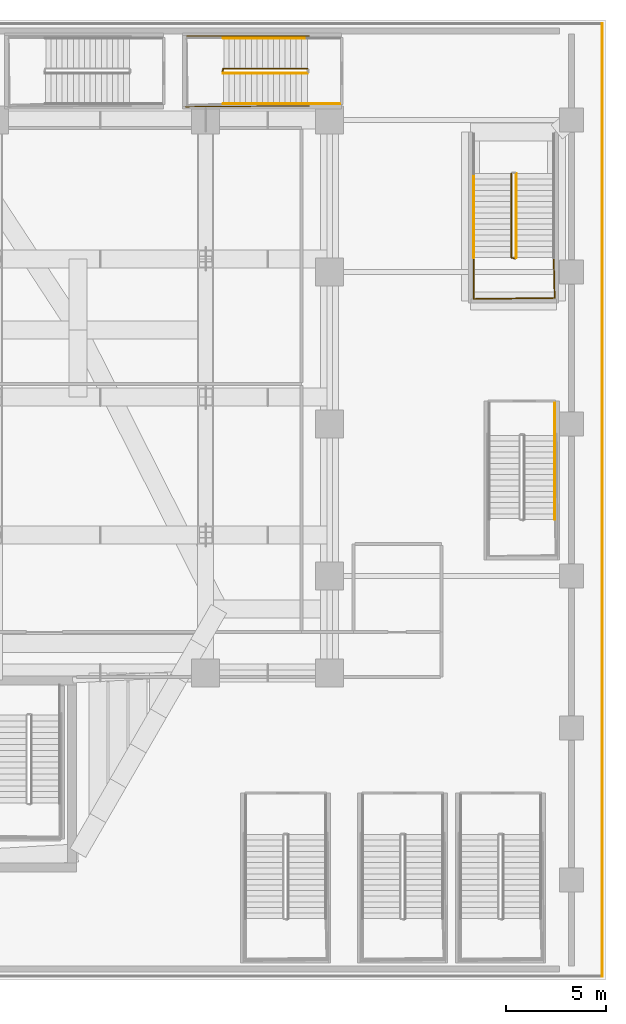
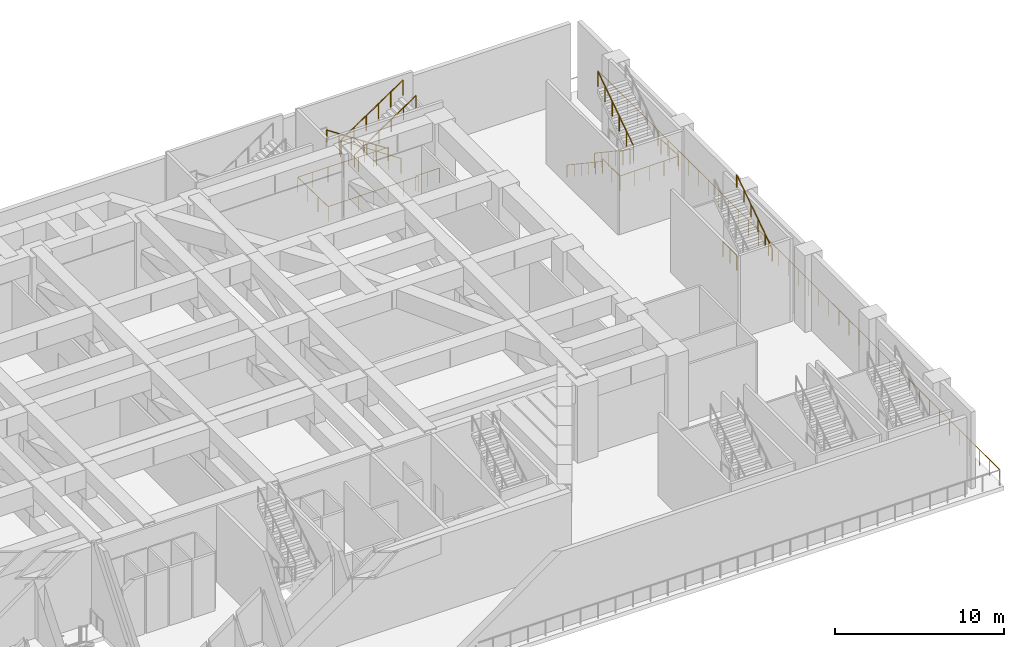
# One storey, part 26 of 27: 13 railings.
"""IFC4 building model written with IfcOpenShell, lengths in metres."""

from ifc_helpers import new_model, si_unit, direction, frame, origin, origin_2d, place, context, subcontext, project, spatial, circle, extrude, material, layer, layer_set, type_object, element, save


model = new_model("IFC4")

# Units and contexts
model_context = context("Model", 3, precision=1e-05, world=origin(), true_north=direction((0.0, 1.0)))
body_context = subcontext(model_context, "Body", "Model", "MODEL_VIEW")
ifc_project = project(units=[si_unit("LENGTHUNIT", "METRE"), si_unit("AREAUNIT", "SQUARE_METRE"), si_unit("VOLUMEUNIT", "CUBIC_METRE"), si_unit("PLANEANGLEUNIT", "RADIAN"), si_unit("MASSUNIT", "GRAM", prefix="KILO")], contexts=[model_context])

# Site, building, storey
site_placement = place(None, origin())
site = spatial("IfcSite", under=ifc_project, at=site_placement, CompositionType="ELEMENT")
building_placement = place(site_placement, origin())
building = spatial("IfcBuilding", under=site, at=building_placement, Name="Ndaravel Arena Tower", CompositionType="ELEMENT")
storey_placement = place(building_placement, frame((0.0, 0.0, 24.0)))
storey = spatial("IfcBuildingStorey", under=building, at=storey_placement, Name="L04", CompositionType="ELEMENT", Elevation=24.0)

# Railings
ifc_material_1 = material(Name="Steel S355", Category="steel")
ifc_layer_1 = layer(ifc_material_1, 0.06005859375)
ifc_layer_set_1 = layer_set([ifc_layer_1], Name="Steel S355")
railing_type_1 = type_object("IfcRailingType", Name="RAIL-STAIR-GD1100", PredefinedType="GUARDRAIL", material=ifc_layer_set_1)
railing_1_placement = place(storey_placement, frame((69.080078125, 45.570068359375, 0.1875)))
element("IfcRailing", 1, at=railing_1_placement, inside=storey, type_object=railing_type_1, Name="L04 ST-A11 stair guard 1", PredefinedType="GUARDRAIL", context=body_context, shape_type="SweptSolid", body=[
    extrude(circle(Radius=0.02392578125, at=origin_2d()), frame((0.0, 0.0, 1.076171875), z_axis=(-0.830919138977, 0.0, 0.55639319234), x_axis=(0.0, -1.0, 0.0)), (0.0, 0.0, 1.0), 5.054931640625),
    extrude(circle(Radius=0.02392578125, at=origin_2d()), frame((-4.2001953125, 0.0, 3.888671875), z_axis=(-0.253331722487, -0.967379469692, 0.0), x_axis=(0.967379469692, -0.253331722487, 0.0)), (0.0, 0.0, 1.0), 0.196533203125),
    extrude(circle(Radius=0.02099609375, at=origin_2d()), origin(), (0.0, 0.0, 1.0), 1.052001953125),
    extrude(circle(Radius=0.02099609375, at=origin_2d()), frame((-0.840087890625, 0.0, 0.5625)), (0.0, 0.0, 1.0), 1.052001953125),
    extrude(circle(Radius=0.02099609375, at=origin_2d()), frame((-1.68017578125, 0.0, 1.125)), (0.0, 0.0, 1.0), 1.052001953125),
    extrude(circle(Radius=0.02099609375, at=origin_2d()), frame((-2.52001953125, 0.0, 1.6875)), (0.0, 0.0, 1.0), 1.052001953125),
    extrude(circle(Radius=0.02099609375, at=origin_2d()), frame((-3.360107421875, 0.0, 2.25)), (0.0, 0.0, 1.0), 1.052001953125),
    extrude(circle(Radius=0.02099609375, at=origin_2d()), frame((-4.2001953125, 0.0, 2.8125)), (0.0, 0.0, 1.0), 1.052001953125),
    extrude(circle(Radius=0.02099609375, at=origin_2d()), frame((-4.25, -0.190185546875, 2.8125)), (0.0, 0.0, 1.0), 1.052001953125),
])
railing_2_placement = place(storey_placement, frame((64.8798828125, 45.330078125, 3.1875)))
element("IfcRailing", 2, at=railing_2_placement, inside=storey, type_object=railing_type_1, Name="L04 ST-A11 stair guard 3", PredefinedType="GUARDRAIL", context=body_context, shape_type="SweptSolid", body=[
    extrude(circle(Radius=0.02392578125, at=origin_2d()), frame((0.0, 0.0, 1.076171875), z_axis=(0.830919138977, 0.0, 0.55639319234), x_axis=(0.0, 1.0, 0.0)), (0.0, 0.0, 1.0), 5.054931640625),
    extrude(circle(Radius=0.02099609375, at=origin_2d()), origin(), (0.0, 0.0, 1.0), 1.052001953125),
    extrude(circle(Radius=0.02099609375, at=origin_2d()), frame((0.840087890625, 0.0, 0.5625)), (0.0, 0.0, 1.0), 1.052001953125),
    extrude(circle(Radius=0.02099609375, at=origin_2d()), frame((1.68017578125, 0.0, 1.125)), (0.0, 0.0, 1.0), 1.052001953125),
    extrude(circle(Radius=0.02099609375, at=origin_2d()), frame((2.52001953125, 0.0, 1.6875)), (0.0, 0.0, 1.0), 1.052001953125),
    extrude(circle(Radius=0.02099609375, at=origin_2d()), frame((3.360107421875, 0.0, 2.25)), (0.0, 0.0, 1.0), 1.052001953125),
    extrude(circle(Radius=0.02099609375, at=origin_2d()), frame((4.2001953125, 0.0, 2.8125)), (0.0, 0.0, 1.0), 1.052001953125),
])
railing_3_placement = place(storey_placement, frame((70.699951171875, 43.81005859375, 0.0)))
element("IfcRailing", 3, at=railing_3_placement, inside=storey, type_object=railing_type_1, Name="L04 ST-A11 stair guard 6", PredefinedType="GUARDRAIL", context=body_context, shape_type="SweptSolid", body=[
    extrude(circle(Radius=0.02392578125, at=origin_2d()), frame((0.0, 0.0, 1.076171875), z_axis=(-1.0, 0.0, 0.0), x_axis=(0.0, -1.0, 0.0)), (0.0, 0.0, 1.0), 1.619873046875),
    extrude(circle(Radius=0.02099609375, at=origin_2d()), origin(), (0.0, 0.0, 1.0), 1.052001953125),
    extrude(circle(Radius=0.02099609375, at=origin_2d()), frame((-0.81005859375, 0.0, 0.0)), (0.0, 0.0, 1.0), 1.052001953125),
    extrude(circle(Radius=0.02099609375, at=origin_2d()), frame((-1.619873046875, 0.0, 0.0)), (0.0, 0.0, 1.0), 1.052001953125),
])
railing_4_placement = place(storey_placement, frame((69.179931640625, 47.18994140625, 0.0)))
element("IfcRailing", 4, at=railing_4_placement, inside=storey, type_object=railing_type_1, Name="L04 ST-A11 stair guard 7", PredefinedType="GUARDRAIL", context=body_context, shape_type="SweptSolid", body=[
    extrude(circle(Radius=0.02392578125, at=origin_2d()), frame((0.0, 0.0, 1.076171875), z_axis=(-1.0, 0.0, 0.0), x_axis=(0.0, -1.0, 0.0)), (0.0, 0.0, 1.0), 6.22998046875),
    extrude(circle(Radius=0.02392578125, at=origin_2d()), frame((-6.22998046875, 0.0, 1.076171875), z_axis=(0.014176595818, -0.999899507016, 0.0), x_axis=(0.999899507016, 0.014176595818, 0.0)), (0.0, 0.0, 1.0), 3.5302734375),
    extrude(circle(Radius=0.02392578125, at=origin_2d()), frame((-6.179931640625, -3.530029296875, 1.076171875), z_axis=(0.999967207908, 0.008098339889, 0.0), x_axis=(-0.008098339889, 0.999967207908, 0.0)), (0.0, 0.0, 1.0), 6.18017578125),
    extrude(circle(Radius=0.02099609375, at=origin_2d()), origin(), (0.0, 0.0, 1.0), 1.052001953125),
    extrude(circle(Radius=0.02099609375, at=origin_2d()), frame((-1.038330078125, 0.0, 0.0)), (0.0, 0.0, 1.0), 1.052001953125),
    extrude(circle(Radius=0.02099609375, at=origin_2d()), frame((-2.07666015625, 0.0, 0.0)), (0.0, 0.0, 1.0), 1.052001953125),
    extrude(circle(Radius=0.02099609375, at=origin_2d()), frame((-3.114990234375, 0.0, 0.0)), (0.0, 0.0, 1.0), 1.052001953125),
    extrude(circle(Radius=0.02099609375, at=origin_2d()), frame((-4.1533203125, 0.0, 0.0)), (0.0, 0.0, 1.0), 1.052001953125),
    extrude(circle(Radius=0.02099609375, at=origin_2d()), frame((-5.191650390625, 0.0, 0.0)), (0.0, 0.0, 1.0), 1.052001953125),
    extrude(circle(Radius=0.02099609375, at=origin_2d()), frame((-6.22998046875, 0.0, 0.0)), (0.0, 0.0, 1.0), 1.052001953125),
    extrude(circle(Radius=0.02099609375, at=origin_2d()), frame((-6.21337890625, -1.1767578125, 0.0)), (0.0, 0.0, 1.0), 1.052001953125),
    extrude(circle(Radius=0.02099609375, at=origin_2d()), frame((-6.196533203125, -2.353271484375, 0.0)), (0.0, 0.0, 1.0), 1.052001953125),
    extrude(circle(Radius=0.02099609375, at=origin_2d()), frame((-6.179931640625, -3.530029296875, 0.0)), (0.0, 0.0, 1.0), 1.052001953125),
    extrude(circle(Radius=0.02099609375, at=origin_2d()), frame((-5.14990234375, -3.521728515625, 0.0)), (0.0, 0.0, 1.0), 1.052001953125),
    extrude(circle(Radius=0.02099609375, at=origin_2d()), frame((-4.119873046875, -3.513427734375, 0.0)), (0.0, 0.0, 1.0), 1.052001953125),
    extrude(circle(Radius=0.02099609375, at=origin_2d()), frame((-3.08984375, -3.5048828125, 0.0)), (0.0, 0.0, 1.0), 1.052001953125),
    extrude(circle(Radius=0.02099609375, at=origin_2d()), frame((-2.06005859375, -3.49658203125, 0.0)), (0.0, 0.0, 1.0), 1.052001953125),
    extrude(circle(Radius=0.02099609375, at=origin_2d()), frame((-1.030029296875, -3.48828125, 0.0)), (0.0, 0.0, 1.0), 1.052001953125),
    extrude(circle(Radius=0.02099609375, at=origin_2d()), frame((0.0, -3.47998046875, 0.0)), (0.0, 0.0, 1.0), 1.052001953125),
])
railing_5_placement = place(storey_placement, frame((81.449951171875, 28.85009765625, 0.0)))
element("IfcRailing", 5, at=railing_5_placement, inside=storey, type_object=railing_type_1, Name="L04 ST-A12 stair guard 6", PredefinedType="GUARDRAIL", context=body_context, shape_type="SweptSolid", body=[
    extrude(circle(Radius=0.02392578125, at=origin_2d()), frame((0.0, 0.0, 1.076171875), z_axis=(0.0, -1.0, 0.0), x_axis=(1.0, 0.0, 0.0)), (0.0, 0.0, 1.0), 1.6201171875),
    extrude(circle(Radius=0.02099609375, at=origin_2d()), origin(), (0.0, 0.0, 1.0), 1.052001953125),
    extrude(circle(Radius=0.02099609375, at=origin_2d()), frame((0.0, -0.81005859375, 0.0)), (0.0, 0.0, 1.0), 1.052001953125),
    extrude(circle(Radius=0.02099609375, at=origin_2d()), frame((0.0, -1.6201171875, 0.0)), (0.0, 0.0, 1.0), 1.052001953125),
])
railing_6_placement = place(storey_placement, frame((79.280029296875, 40.320068359375, 0.1875)))
element("IfcRailing", 6, at=railing_6_placement, inside=storey, type_object=railing_type_1, Name="L04 ST-GDN-2 stair guard 1", PredefinedType="GUARDRAIL", context=body_context, shape_type="SweptSolid", body=[
    extrude(circle(Radius=0.02392578125, at=origin_2d()), frame((0.0, 0.0, 1.076171875), z_axis=(0.0, -0.830904186295, 0.556415522067), x_axis=(1.0, 0.0, 0.0)), (0.0, 0.0, 1.0), 5.0546875),
    extrude(circle(Radius=0.02392578125, at=origin_2d()), frame((0.0, -4.199951171875, 3.888671875), z_axis=(0.966993988697, -0.254799187253, 0.0), x_axis=(0.254799187253, 0.966993988697, 0.0)), (0.0, 0.0, 1.0), 0.196533203125),
    extrude(circle(Radius=0.02099609375, at=origin_2d()), origin(), (0.0, 0.0, 1.0), 1.052001953125),
    extrude(circle(Radius=0.02099609375, at=origin_2d()), frame((0.0, -0.840087890625, 0.5625)), (0.0, 0.0, 1.0), 1.052001953125),
    extrude(circle(Radius=0.02099609375, at=origin_2d()), frame((0.0, -1.679931640625, 1.125)), (0.0, 0.0, 1.0), 1.052001953125),
    extrude(circle(Radius=0.02099609375, at=origin_2d()), frame((0.0, -2.52001953125, 1.6875)), (0.0, 0.0, 1.0), 1.052001953125),
    extrude(circle(Radius=0.02099609375, at=origin_2d()), frame((0.0, -3.35986328125, 2.25)), (0.0, 0.0, 1.0), 1.052001953125),
    extrude(circle(Radius=0.02099609375, at=origin_2d()), frame((0.0, -4.199951171875, 2.8125)), (0.0, 0.0, 1.0), 1.052001953125),
    extrude(circle(Radius=0.02099609375, at=origin_2d()), frame((0.18994140625, -4.25, 2.8125)), (0.0, 0.0, 1.0), 1.052001953125),
])
railing_7_placement = place(storey_placement, frame((77.39990234375, 36.1201171875, 3.0)))
element("IfcRailing", 7, at=railing_7_placement, inside=storey, type_object=railing_type_1, Name="L04 ST-GDN-2 stair guard 2", PredefinedType="GUARDRAIL", context=body_context, shape_type="SweptSolid", body=[
    extrude(circle(Radius=0.02392578125, at=origin_2d()), frame((0.0, 0.0, 1.076171875), z_axis=(0.0, -1.0, 0.0), x_axis=(1.0, 0.0, 0.0)), (0.0, 0.0, 1.0), 2.070068359375),
    extrude(circle(Radius=0.02392578125, at=origin_2d()), frame((0.0, -2.070068359375, 1.076171875), z_axis=(0.999923653774, 0.012356642897, 0.0), x_axis=(-0.012356642897, 0.999923653774, 0.0)), (0.0, 0.0, 1.0), 4.05029296875),
    extrude(circle(Radius=0.02392578125, at=origin_2d()), frame((4.050048828125, -2.02001953125, 1.076171875), z_axis=(-0.024768806773, 0.999693206044, 0.0), x_axis=(-0.999693206044, -0.024768806773, 0.0)), (0.0, 0.0, 1.0), 2.020751953125),
    extrude(circle(Radius=0.02099609375, at=origin_2d()), origin(), (0.0, 0.0, 1.0), 1.052001953125),
    extrude(circle(Radius=0.02099609375, at=origin_2d()), frame((0.0, -1.03515625, 0.0)), (0.0, 0.0, 1.0), 1.052001953125),
    extrude(circle(Radius=0.02099609375, at=origin_2d()), frame((0.0, -2.070068359375, 0.0)), (0.0, 0.0, 1.0), 1.052001953125),
    extrude(circle(Radius=0.02099609375, at=origin_2d()), frame((1.012451171875, -2.0576171875, 0.0)), (0.0, 0.0, 1.0), 1.052001953125),
    extrude(circle(Radius=0.02099609375, at=origin_2d()), frame((2.02490234375, -2.044921875, 0.0)), (0.0, 0.0, 1.0), 1.052001953125),
    extrude(circle(Radius=0.02099609375, at=origin_2d()), frame((3.03759765625, -2.032470703125, 0.0)), (0.0, 0.0, 1.0), 1.052001953125),
    extrude(circle(Radius=0.02099609375, at=origin_2d()), frame((4.050048828125, -2.02001953125, 0.0)), (0.0, 0.0, 1.0), 1.052001953125),
    extrude(circle(Radius=0.02099609375, at=origin_2d()), frame((4.02490234375, -1.010009765625, 0.0)), (0.0, 0.0, 1.0), 1.052001953125),
    extrude(circle(Radius=0.02099609375, at=origin_2d()), frame((4.0, 0.0, 0.0)), (0.0, 0.0, 1.0), 1.052001953125),
])
railing_8_placement = place(storey_placement, frame((79.52001953125, 36.1201171875, 3.1875)))
element("IfcRailing", 8, at=railing_8_placement, inside=storey, type_object=railing_type_1, Name="L04 ST-GDN-2 stair guard 3", PredefinedType="GUARDRAIL", context=body_context, shape_type="SweptSolid", body=[
    extrude(circle(Radius=0.02392578125, at=origin_2d()), frame((0.0, 0.0, 1.076171875), z_axis=(0.0, 0.830904186295, 0.556415522067), x_axis=(-1.0, 0.0, 0.0)), (0.0, 0.0, 1.0), 5.0546875),
    extrude(circle(Radius=0.02099609375, at=origin_2d()), origin(), (0.0, 0.0, 1.0), 1.052001953125),
    extrude(circle(Radius=0.02099609375, at=origin_2d()), frame((0.0, 0.840087890625, 0.5625)), (0.0, 0.0, 1.0), 1.052001953125),
    extrude(circle(Radius=0.02099609375, at=origin_2d()), frame((0.0, 1.679931640625, 1.125)), (0.0, 0.0, 1.0), 1.052001953125),
    extrude(circle(Radius=0.02099609375, at=origin_2d()), frame((0.0, 2.52001953125, 1.6875)), (0.0, 0.0, 1.0), 1.052001953125),
    extrude(circle(Radius=0.02099609375, at=origin_2d()), frame((0.0, 3.35986328125, 2.25)), (0.0, 0.0, 1.0), 1.052001953125),
    extrude(circle(Radius=0.02099609375, at=origin_2d()), frame((0.0, 4.199951171875, 2.8125)), (0.0, 0.0, 1.0), 1.052001953125),
])
ifc_material_2 = material(Name="Steel S355", Category="steel")
ifc_layer_2 = layer(ifc_material_2, 0.050048828125)
ifc_layer_set_2 = layer_set([ifc_layer_2], Name="Steel S355")
railing_type_2 = type_object("IfcRailingType", Name="RAIL-STAIR-HR920", PredefinedType="HANDRAIL", material=ifc_layer_set_2)
railing_9_placement = place(storey_placement, frame((69.080078125, 47.090087890625, 0.1875)))
element("IfcRailing", 9, at=railing_9_placement, inside=storey, type_object=railing_type_2, Name="L04 ST-A11 stair handrail 1", PredefinedType="HANDRAIL", context=body_context, shape_type="SweptSolid", body=[
    extrude(circle(Radius=0.02392578125, at=origin_2d()), frame((0.0, 0.0, 0.8759765625), z_axis=(-0.830919138977, 0.0, 0.55639319234), x_axis=(0.0, -1.0, 0.0)), (0.0, 0.0, 1.0), 5.054931640625),
    extrude(circle(Radius=0.02099609375, at=origin_2d()), origin(), (0.0, 0.0, 1.0), 0.851806640625),
    extrude(circle(Radius=0.02099609375, at=origin_2d()), frame((-0.840087890625, 0.0, 0.5625)), (0.0, 0.0, 1.0), 0.851806640625),
    extrude(circle(Radius=0.02099609375, at=origin_2d()), frame((-1.68017578125, 0.0, 1.125)), (0.0, 0.0, 1.0), 0.851806640625),
    extrude(circle(Radius=0.02099609375, at=origin_2d()), frame((-2.52001953125, 0.0, 1.6875)), (0.0, 0.0, 1.0), 0.851806640625),
    extrude(circle(Radius=0.02099609375, at=origin_2d()), frame((-3.360107421875, 0.0, 2.25)), (0.0, 0.0, 1.0), 0.851806640625),
    extrude(circle(Radius=0.02099609375, at=origin_2d()), frame((-4.2001953125, 0.0, 2.8125)), (0.0, 0.0, 1.0), 0.851806640625),
])
railing_10_placement = place(storey_placement, frame((64.8798828125, 43.81005859375, 3.1875)))
element("IfcRailing", 10, at=railing_10_placement, inside=storey, type_object=railing_type_2, Name="L04 ST-A11 stair handrail 2", PredefinedType="HANDRAIL", context=body_context, shape_type="SweptSolid", body=[
    extrude(circle(Radius=0.02392578125, at=origin_2d()), frame((0.0, 0.0, 0.8759765625), z_axis=(0.830919138977, 0.0, 0.55639319234), x_axis=(0.0, 1.0, 0.0)), (0.0, 0.0, 1.0), 5.054931640625),
    extrude(circle(Radius=0.02099609375, at=origin_2d()), origin(), (0.0, 0.0, 1.0), 0.851806640625),
    extrude(circle(Radius=0.02099609375, at=origin_2d()), frame((0.840087890625, 0.0, 0.5625)), (0.0, 0.0, 1.0), 0.851806640625),
    extrude(circle(Radius=0.02099609375, at=origin_2d()), frame((1.68017578125, 0.0, 1.125)), (0.0, 0.0, 1.0), 0.851806640625),
    extrude(circle(Radius=0.02099609375, at=origin_2d()), frame((2.52001953125, 0.0, 1.6875)), (0.0, 0.0, 1.0), 0.851806640625),
    extrude(circle(Radius=0.02099609375, at=origin_2d()), frame((3.360107421875, 0.0, 2.25)), (0.0, 0.0, 1.0), 0.851806640625),
    extrude(circle(Radius=0.02099609375, at=origin_2d()), frame((4.2001953125, 0.0, 2.8125)), (0.0, 0.0, 1.0), 0.851806640625),
])
railing_11_placement = place(storey_placement, frame((81.449951171875, 23.030029296875, 3.1875)))
element("IfcRailing", 11, at=railing_11_placement, inside=storey, type_object=railing_type_2, Name="L04 ST-A12 stair handrail 2", PredefinedType="HANDRAIL", context=body_context, shape_type="SweptSolid", body=[
    extrude(circle(Radius=0.02392578125, at=origin_2d()), frame((0.0, 0.0, 0.8759765625), z_axis=(0.0, 0.830904186295, 0.556415522067), x_axis=(-1.0, 0.0, 0.0)), (0.0, 0.0, 1.0), 5.0546875),
    extrude(circle(Radius=0.02099609375, at=origin_2d()), origin(), (0.0, 0.0, 1.0), 0.851806640625),
    extrude(circle(Radius=0.02099609375, at=origin_2d()), frame((0.0, 0.840087890625, 0.5625)), (0.0, 0.0, 1.0), 0.851806640625),
    extrude(circle(Radius=0.02099609375, at=origin_2d()), frame((0.0, 1.679931640625, 1.125)), (0.0, 0.0, 1.0), 0.851806640625),
    extrude(circle(Radius=0.02099609375, at=origin_2d()), frame((0.0, 2.52001953125, 1.6875)), (0.0, 0.0, 1.0), 0.851806640625),
    extrude(circle(Radius=0.02099609375, at=origin_2d()), frame((0.0, 3.35986328125, 2.25)), (0.0, 0.0, 1.0), 0.851806640625),
    extrude(circle(Radius=0.02099609375, at=origin_2d()), frame((0.0, 4.199951171875, 2.8125)), (0.0, 0.0, 1.0), 0.851806640625),
])
railing_12_placement = place(storey_placement, frame((77.39990234375, 40.320068359375, 0.1875)))
element("IfcRailing", 12, at=railing_12_placement, inside=storey, type_object=railing_type_2, Name="L04 ST-GDN-2 stair handrail 1", PredefinedType="HANDRAIL", context=body_context, shape_type="SweptSolid", body=[
    extrude(circle(Radius=0.02392578125, at=origin_2d()), frame((0.0, 0.0, 0.8759765625), z_axis=(0.0, -0.830904186295, 0.556415522067), x_axis=(1.0, 0.0, 0.0)), (0.0, 0.0, 1.0), 5.0546875),
    extrude(circle(Radius=0.02099609375, at=origin_2d()), origin(), (0.0, 0.0, 1.0), 0.851806640625),
    extrude(circle(Radius=0.02099609375, at=origin_2d()), frame((0.0, -0.840087890625, 0.5625)), (0.0, 0.0, 1.0), 0.851806640625),
    extrude(circle(Radius=0.02099609375, at=origin_2d()), frame((0.0, -1.679931640625, 1.125)), (0.0, 0.0, 1.0), 0.851806640625),
    extrude(circle(Radius=0.02099609375, at=origin_2d()), frame((0.0, -2.52001953125, 1.6875)), (0.0, 0.0, 1.0), 0.851806640625),
    extrude(circle(Radius=0.02099609375, at=origin_2d()), frame((0.0, -3.35986328125, 2.25)), (0.0, 0.0, 1.0), 0.851806640625),
    extrude(circle(Radius=0.02099609375, at=origin_2d()), frame((0.0, -4.199951171875, 2.8125)), (0.0, 0.0, 1.0), 0.851806640625),
])
ifc_material_3 = material(Name="Glazing", Category="glass")
ifc_layer_3 = layer(ifc_material_3, 0.070068359375)
ifc_layer_set_3 = layer_set([ifc_layer_3], Name="Glazing")
railing_type_3 = type_object("IfcRailingType", Name="RAIL-TERRACE-1150", PredefinedType="BALUSTRADE", material=ifc_layer_set_3)
railing_13_placement = place(storey_placement, frame((83.820068359375, 0.179931640625, 0.0)))
element("IfcRailing", 13, at=railing_13_placement, inside=storey, type_object=railing_type_3, Name="L04 Podium Perimeter Edge Guard 2", PredefinedType="BALUSTRADE", context=body_context, shape_type="SweptSolid", body=[
    extrude(circle(Radius=0.02392578125, at=origin_2d()), frame((0.0, 0.0, 1.1259765625), z_axis=(0.0, 1.0, 0.0), x_axis=(-1.0, 0.0, 0.0)), (0.0, 0.0, 1.0), 47.64013671875),
    extrude(circle(Radius=0.02099609375, at=origin_2d()), origin(), (0.0, 0.0, 1.0), 1.101806640625),
    extrude(circle(Radius=0.02099609375, at=origin_2d()), frame((0.0, 1.19091796875, 0.0)), (0.0, 0.0, 1.0), 1.101806640625),
    extrude(circle(Radius=0.02099609375, at=origin_2d()), frame((0.0, 2.382080078125, 0.0)), (0.0, 0.0, 1.0), 1.101806640625),
    extrude(circle(Radius=0.02099609375, at=origin_2d()), frame((0.0, 3.572998046875, 0.0)), (0.0, 0.0, 1.0), 1.101806640625),
    extrude(circle(Radius=0.02099609375, at=origin_2d()), frame((0.0, 4.763916015625, 0.0)), (0.0, 0.0, 1.0), 1.101806640625),
    extrude(circle(Radius=0.02099609375, at=origin_2d()), frame((0.0, 5.955078125, 0.0)), (0.0, 0.0, 1.0), 1.101806640625),
    extrude(circle(Radius=0.02099609375, at=origin_2d()), frame((0.0, 7.14599609375, 0.0)), (0.0, 0.0, 1.0), 1.101806640625),
    extrude(circle(Radius=0.02099609375, at=origin_2d()), frame((0.0, 8.3369140625, 0.0)), (0.0, 0.0, 1.0), 1.101806640625),
    extrude(circle(Radius=0.02099609375, at=origin_2d()), frame((0.0, 9.528076171875, 0.0)), (0.0, 0.0, 1.0), 1.101806640625),
    extrude(circle(Radius=0.02099609375, at=origin_2d()), frame((0.0, 10.718994140625, 0.0)), (0.0, 0.0, 1.0), 1.101806640625),
    extrude(circle(Radius=0.02099609375, at=origin_2d()), frame((0.0, 11.91015625, 0.0)), (0.0, 0.0, 1.0), 1.101806640625),
    extrude(circle(Radius=0.02099609375, at=origin_2d()), frame((0.0, 13.10107421875, 0.0)), (0.0, 0.0, 1.0), 1.101806640625),
    extrude(circle(Radius=0.02099609375, at=origin_2d()), frame((0.0, 14.2919921875, 0.0)), (0.0, 0.0, 1.0), 1.101806640625),
    extrude(circle(Radius=0.02099609375, at=origin_2d()), frame((0.0, 15.483154296875, 0.0)), (0.0, 0.0, 1.0), 1.101806640625),
    extrude(circle(Radius=0.02099609375, at=origin_2d()), frame((0.0, 16.674072265625, 0.0)), (0.0, 0.0, 1.0), 1.101806640625),
    extrude(circle(Radius=0.02099609375, at=origin_2d()), frame((0.0, 17.864990234375, 0.0)), (0.0, 0.0, 1.0), 1.101806640625),
    extrude(circle(Radius=0.02099609375, at=origin_2d()), frame((0.0, 19.05615234375, 0.0)), (0.0, 0.0, 1.0), 1.101806640625),
    extrude(circle(Radius=0.02099609375, at=origin_2d()), frame((0.0, 20.2470703125, 0.0)), (0.0, 0.0, 1.0), 1.101806640625),
    extrude(circle(Radius=0.02099609375, at=origin_2d()), frame((0.0, 21.43798828125, 0.0)), (0.0, 0.0, 1.0), 1.101806640625),
    extrude(circle(Radius=0.02099609375, at=origin_2d()), frame((0.0, 22.629150390625, 0.0)), (0.0, 0.0, 1.0), 1.101806640625),
    extrude(circle(Radius=0.02099609375, at=origin_2d()), frame((0.0, 23.820068359375, 0.0)), (0.0, 0.0, 1.0), 1.101806640625),
    extrude(circle(Radius=0.02099609375, at=origin_2d()), frame((0.0, 25.010986328125, 0.0)), (0.0, 0.0, 1.0), 1.101806640625),
    extrude(circle(Radius=0.02099609375, at=origin_2d()), frame((0.0, 26.2021484375, 0.0)), (0.0, 0.0, 1.0), 1.101806640625),
    extrude(circle(Radius=0.02099609375, at=origin_2d()), frame((0.0, 27.39306640625, 0.0)), (0.0, 0.0, 1.0), 1.101806640625),
    extrude(circle(Radius=0.02099609375, at=origin_2d()), frame((0.0, 28.583984375, 0.0)), (0.0, 0.0, 1.0), 1.101806640625),
    extrude(circle(Radius=0.02099609375, at=origin_2d()), frame((0.0, 29.775146484375, 0.0)), (0.0, 0.0, 1.0), 1.101806640625),
    extrude(circle(Radius=0.02099609375, at=origin_2d()), frame((0.0, 30.966064453125, 0.0)), (0.0, 0.0, 1.0), 1.101806640625),
    extrude(circle(Radius=0.02099609375, at=origin_2d()), frame((0.0, 32.156982421875, 0.0)), (0.0, 0.0, 1.0), 1.101806640625),
    extrude(circle(Radius=0.02099609375, at=origin_2d()), frame((0.0, 33.34814453125, 0.0)), (0.0, 0.0, 1.0), 1.101806640625),
    extrude(circle(Radius=0.02099609375, at=origin_2d()), frame((0.0, 34.5390625, 0.0)), (0.0, 0.0, 1.0), 1.101806640625),
    extrude(circle(Radius=0.02099609375, at=origin_2d()), frame((0.0, 35.72998046875, 0.0)), (0.0, 0.0, 1.0), 1.101806640625),
    extrude(circle(Radius=0.02099609375, at=origin_2d()), frame((0.0, 36.921142578125, 0.0)), (0.0, 0.0, 1.0), 1.101806640625),
    extrude(circle(Radius=0.02099609375, at=origin_2d()), frame((0.0, 38.112060546875, 0.0)), (0.0, 0.0, 1.0), 1.101806640625),
    extrude(circle(Radius=0.02099609375, at=origin_2d()), frame((0.0, 39.30322265625, 0.0)), (0.0, 0.0, 1.0), 1.101806640625),
    extrude(circle(Radius=0.02099609375, at=origin_2d()), frame((0.0, 40.494140625, 0.0)), (0.0, 0.0, 1.0), 1.101806640625),
    extrude(circle(Radius=0.02099609375, at=origin_2d()), frame((0.0, 41.68505859375, 0.0)), (0.0, 0.0, 1.0), 1.101806640625),
    extrude(circle(Radius=0.02099609375, at=origin_2d()), frame((0.0, 42.876220703125, 0.0)), (0.0, 0.0, 1.0), 1.101806640625),
    extrude(circle(Radius=0.02099609375, at=origin_2d()), frame((0.0, 44.067138671875, 0.0)), (0.0, 0.0, 1.0), 1.101806640625),
    extrude(circle(Radius=0.02099609375, at=origin_2d()), frame((0.0, 45.258056640625, 0.0)), (0.0, 0.0, 1.0), 1.101806640625),
    extrude(circle(Radius=0.02099609375, at=origin_2d()), frame((0.0, 46.44921875, 0.0)), (0.0, 0.0, 1.0), 1.101806640625),
    extrude(circle(Radius=0.02099609375, at=origin_2d()), frame((0.0, 47.64013671875, 0.0)), (0.0, 0.0, 1.0), 1.101806640625),
])

save(model, "model.ifc")
